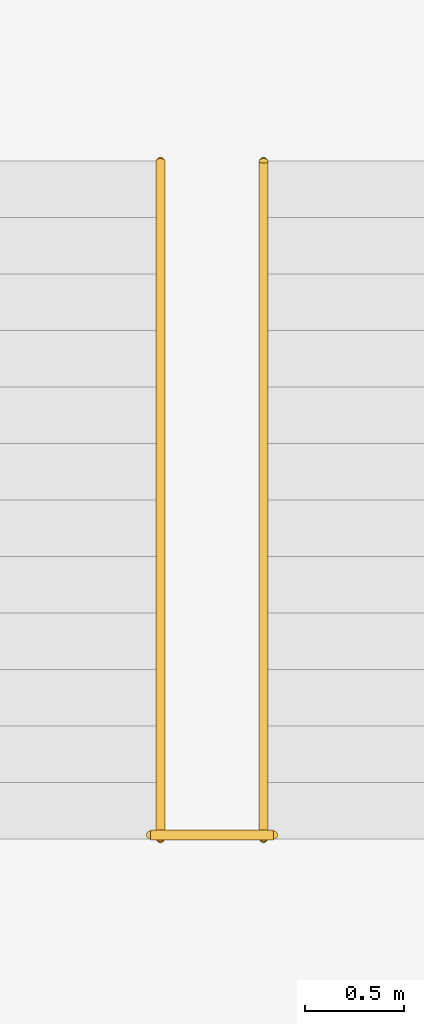
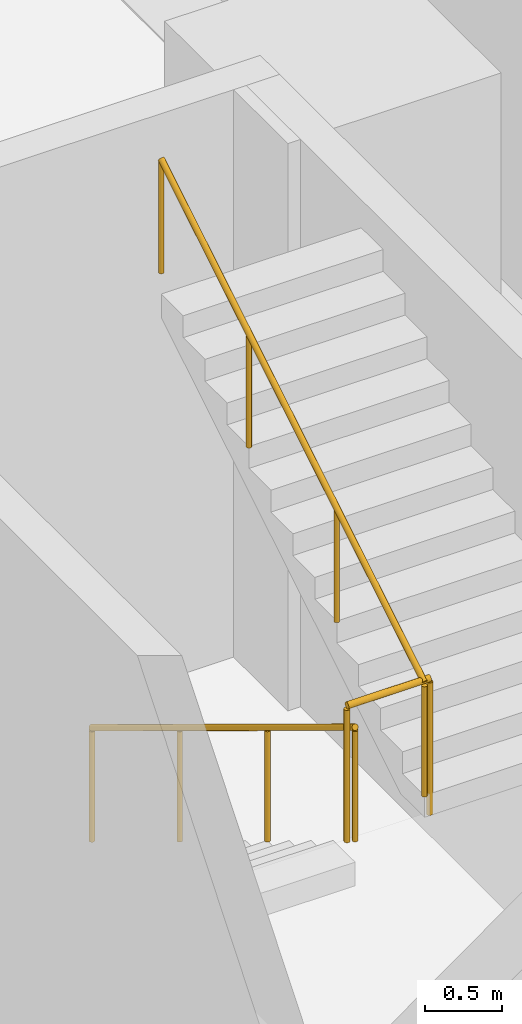
# One storey, part 9 of 10: 3 railings.
"""IFC4 building model written with IfcOpenShell, lengths in metres."""

from ifc_helpers import new_model, si_unit, direction, frame, origin, origin_2d, place, context, subcontext, project, spatial, circle, extrude, material, type_object, element, save


model = new_model("IFC4")

# Units and contexts
model_context = context("Model", 3, precision=1e-05, world=origin(), true_north=direction((0.0, 1.0)))
body_context = subcontext(model_context, "Body", "Model", "MODEL_VIEW")
ifc_project = project(units=[si_unit("LENGTHUNIT", "METRE"), si_unit("AREAUNIT", "SQUARE_METRE"), si_unit("VOLUMEUNIT", "CUBIC_METRE"), si_unit("PLANEANGLEUNIT", "RADIAN"), si_unit("MASSUNIT", "GRAM", prefix="KILO")], contexts=[model_context])

# Site, building, storey
site_placement = place(None, origin())
site = spatial("IfcSite", under=ifc_project, at=site_placement, CompositionType="ELEMENT")
building_placement = place(site_placement, origin())
building = spatial("IfcBuilding", under=site, at=building_placement, Name="Mawjdan Bourse Tower", CompositionType="ELEMENT")
storey_placement = place(building_placement, frame((0.0, 0.0, -13.5)))
storey = spatial("IfcBuildingStorey", under=building, at=storey_placement, Name="B03", CompositionType="ELEMENT", Elevation=-13.5)

# Railings
ifc_material_1 = material(Name="Structural Steel S355", Category="steel")
railing_type_1 = type_object("IfcRailingType", Name="RLG-GRD-1100", PredefinedType="GUARDRAIL", material=ifc_material_1)
railing_1_placement = place(storey_placement, frame((65.68994140625, 6.949951171875, 2.25)))
element("IfcRailing", 1, at=railing_1_placement, inside=storey, type_object=railing_type_1, Name="B03 ST6 Landing Guardrail GL-MID", PredefinedType="GUARDRAIL", context=body_context, shape_type="SweptSolid", body=[
    extrude(circle(Radius=0.02490234375, at=origin_2d()), frame((0.0, 0.0, 1.0751953125), z_axis=(1.0, 0.0, 0.0), x_axis=(0.0, 1.0, 0.0)), (0.0, 0.0, 1.0), 0.6201171875),
    extrude(circle(Radius=0.02099609375, at=origin_2d()), origin(), (0.0, 0.0, 1.0), 1.050048828125),
    extrude(circle(Radius=0.02099609375, at=origin_2d()), frame((0.6201171875, 0.0, 0.0)), (0.0, 0.0, 1.0), 1.050048828125),
])
ifc_material_2 = material(Name="Brushed Stainless Steel", Category="steel")
railing_type_2 = type_object("IfcRailingType", Name="RLG-HND-920", PredefinedType="HANDRAIL", material=ifc_material_2)
railing_2_placement = place(storey_placement, frame((65.739990234375, 10.35009765625, 0.173095703125)))
element("IfcRailing", 2, at=railing_2_placement, inside=storey, type_object=railing_type_2, Name="B03 ST6 Flight Handrail HR1", PredefinedType="HANDRAIL", context=body_context, shape_type="SweptSolid", body=[
    extrude(circle(Radius=0.0224609375, at=origin_2d()), frame((0.0, 0.0, 0.8974609375), z_axis=(0.0, -0.854745945586, 0.519046595696), x_axis=(1.0, 0.0, 0.0)), (0.0, 0.0, 1.0), 4.00146484375),
    extrude(circle(Radius=0.01904296875, at=origin_2d()), origin(), (0.0, 0.0, 1.0), 0.875),
    extrude(circle(Radius=0.01904296875, at=origin_2d()), frame((0.0, -1.14013671875, 0.6923828125)), (0.0, 0.0, 1.0), 0.875),
    extrude(circle(Radius=0.01904296875, at=origin_2d()), frame((0.0, -2.280029296875, 1.384521484375)), (0.0, 0.0, 1.0), 0.875),
    extrude(circle(Radius=0.01904296875, at=origin_2d()), frame((0.0, -3.420166015625, 2.076904296875)), (0.0, 0.0, 1.0), 0.875),
])
railing_3_placement = place(storey_placement, frame((66.260009765625, 6.929931640625, 2.423095703125)))
element("IfcRailing", 3, at=railing_3_placement, inside=storey, type_object=railing_type_2, Name="B03 ST6 Flight Handrail HR2", PredefinedType="HANDRAIL", context=body_context, shape_type="SweptSolid", body=[
    extrude(circle(Radius=0.0224609375, at=origin_2d()), frame((0.0, 0.0, 0.8974609375), z_axis=(0.0, 0.854745945586, 0.519046595696), x_axis=(-1.0, 0.0, 0.0)), (0.0, 0.0, 1.0), 4.00146484375),
    extrude(circle(Radius=0.01904296875, at=origin_2d()), origin(), (0.0, 0.0, 1.0), 0.875),
    extrude(circle(Radius=0.01904296875, at=origin_2d()), frame((0.0, 1.14013671875, 0.6923828125)), (0.0, 0.0, 1.0), 0.875),
    extrude(circle(Radius=0.01904296875, at=origin_2d()), frame((0.0, 2.280029296875, 1.384521484375)), (0.0, 0.0, 1.0), 0.875),
    extrude(circle(Radius=0.01904296875, at=origin_2d()), frame((0.0, 3.420166015625, 2.076904296875)), (0.0, 0.0, 1.0), 0.875),
])

save(model, "model.ifc")
